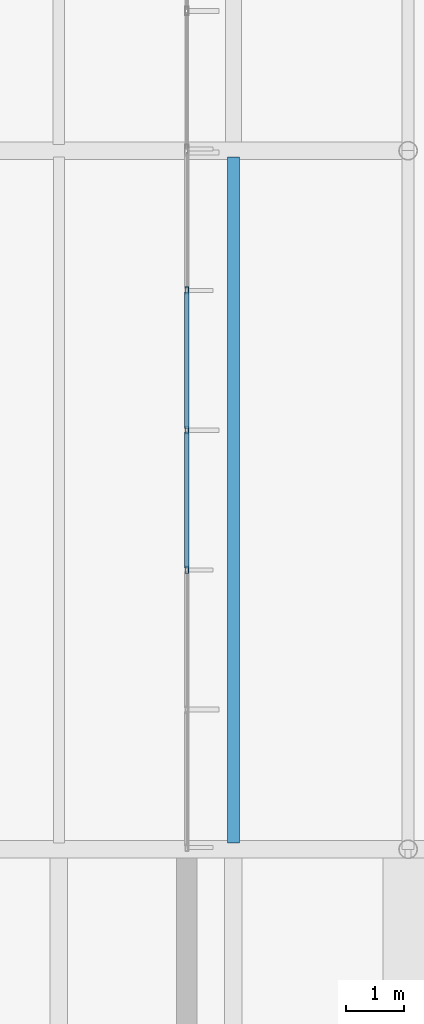
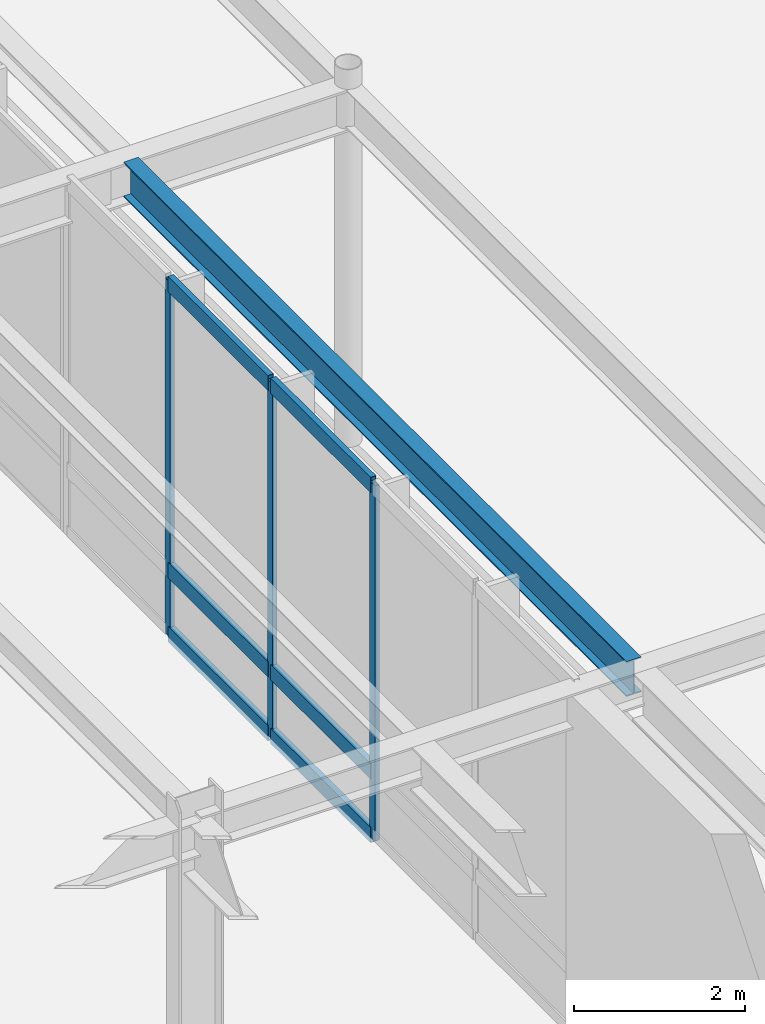
# One storey, part 42 of 143: 9 members, 1 beam, 1 element without a shape of its own.
"""IFC4 building model written with IfcOpenShell, lengths in metres."""

import ifcopenshell
import ifcopenshell.guid

model = None  # the IFC model being written
_history = None  # IfcOwnerHistory: only IFC2X3 demands one
_inside = {}  # id of a spatial element -> (the spatial element, [elements in it])
_under = {}  # id of a project, library or spatial element -> (it, [spatial elements below it])
_declared = {}  # id of a project -> (the project, [libraries it declares])
_typed = {}  # id of a type object -> (the type object, [elements of that type])
_made_of = {}  # id of a material, layer set ... -> (it, [elements and type objects made of it])


def new_model(schema):
    """Start an empty IFC model of exactly this schema.

    Asked for "IFC4X3", IfcOpenShell would pick the latest addendum, in which some entities
    have other attributes; the version numbers below select the first issue.
    IFC2X3 requires an IfcOwnerHistory on every rooted entity: one is made here for all.
    """
    global model, _history
    if schema == "IFC4X3":
        model = ifcopenshell.file(schema_version=(4, 3, 0, 0))
    else:
        model = ifcopenshell.file(schema=schema)
    _inside.clear()
    _under.clear()
    _declared.clear()
    _typed.clear()
    _made_of.clear()
    _history = None
    if model.schema == "IFC2X3":
        org = make("IfcOrganization", Name="unknown")
        user = make(
            "IfcPersonAndOrganization",
            ThePerson=make("IfcPerson", FamilyName="unknown"),
            TheOrganization=org,
        )
        app = make(
            "IfcApplication",
            ApplicationDeveloper=org,
            Version="unknown",
            ApplicationFullName="unknown",
            ApplicationIdentifier="unknown",
        )
        _history = make(
            "IfcOwnerHistory",
            OwningUser=user,
            OwningApplication=app,
            ChangeAction="ADDED",
            CreationDate=0,
        )
    return model


def make(cls, **values):
    """One entity of the class cls with the attributes given. An attribute that is None is left unset."""
    return model.create_entity(
        cls, **{name: value for name, value in values.items() if value is not None}
    )


def rooted(cls, **values):
    """An entity with a GlobalId (a new one), such as an element, a storey or a relation."""
    return make(cls, GlobalId=ifcopenshell.guid.new(), OwnerHistory=_history, **values)


def si_unit(unit_type, name, prefix=None):
    """IfcSIUnit, for example si_unit("LENGTHUNIT", "METRE", prefix="MILLI")."""
    return make("IfcSIUnit", UnitType=unit_type, Prefix=prefix, Name=name)


def assignment(units):
    """IfcUnitAssignment: the units of a project."""
    return None if units is None else make("IfcUnitAssignment", Units=units)


def point(xyz):
    """IfcCartesianPoint."""
    return None if xyz is None else make("IfcCartesianPoint", Coordinates=xyz)


def direction(xyz):
    """IfcDirection."""
    return None if xyz is None else make("IfcDirection", DirectionRatios=xyz)


def frame(location, z_axis=None, x_axis=None):
    """IfcAxis2Placement3D, a coordinate frame: its origin and axes. An axis left out is left unset."""
    return make(
        "IfcAxis2Placement3D",
        Location=point(location),
        Axis=direction(z_axis),
        RefDirection=direction(x_axis),
    )


def frame_2d(location, x_axis=None):
    """IfcAxis2Placement2D, a coordinate frame in the plane: its origin and x axis."""
    return make(
        "IfcAxis2Placement2D", Location=point(location), RefDirection=direction(x_axis)
    )


def origin():
    """The frame at (0, 0, 0) with its axes left unset."""
    return frame((0.0, 0.0, 0.0))


def origin_2d():
    """The frame at (0, 0) in the plane with its x axis left unset."""
    return frame_2d((0.0, 0.0))


def place(relative_to, where):
    """IfcLocalPlacement: puts the frame where relative to a parent placement (None: the world)."""
    return make(
        "IfcLocalPlacement", PlacementRelTo=relative_to, RelativePlacement=where
    )


def context(
    kind, dimensions, precision=None, world=None, true_north=None, identifier=None
):
    """IfcGeometricRepresentationContext, for example the 3D "Model" context."""
    return make(
        "IfcGeometricRepresentationContext",
        ContextIdentifier=identifier,
        ContextType=kind,
        CoordinateSpaceDimension=dimensions,
        Precision=precision,
        WorldCoordinateSystem=world,
        TrueNorth=true_north,
    )


def subcontext(parent, identifier, kind, view, scale=None):
    """IfcGeometricRepresentationSubContext, for example "Body" below "Model"."""
    return make(
        "IfcGeometricRepresentationSubContext",
        ContextIdentifier=identifier,
        ContextType=kind,
        ParentContext=parent,
        TargetScale=scale,
        TargetView=view,
    )


def project(units=None, contexts=None):
    """IfcProject with its units and contexts."""
    return rooted(
        "IfcProject",
        Name="project",
        RepresentationContexts=contexts,
        UnitsInContext=assignment(units),
    )


def spatial(cls, under=None, at=None, **own):
    """A site, building, storey or space (cls), placed at a placement, below another one or the project."""
    s = rooted(cls, ObjectPlacement=at, **own)
    if under is not None:
        _under.setdefault(under.id(), (under, []))[1].append(s)
    return s


def profile(cls, at=None, kind="AREA", **sizes):
    """A parametric profile (cls). Its sizes go by their IFC names, for example OverallWidth=200.0."""
    return make(cls, ProfileType=kind, Position=at, **sizes)


def hollow_rectangle(**sizes):
    """IfcRectangleHollowProfileDef."""
    return profile("IfcRectangleHollowProfileDef", **sizes)


def i_section(**sizes):
    """IfcIShapeProfileDef."""
    return profile("IfcIShapeProfileDef", **sizes)


def extrude(swept, where, along, depth):
    """IfcExtrudedAreaSolid: the profile swept, set in the frame where, extruded along a direction by depth."""
    return make(
        "IfcExtrudedAreaSolid",
        SweptArea=swept,
        Position=where,
        ExtrudedDirection=direction(along),
        Depth=depth,
    )


def shape(context_of_items, identifier, shape_type, items):
    """IfcShapeRepresentation: the items that make up one representation, for example the "Body"."""
    return make(
        "IfcShapeRepresentation",
        ContextOfItems=context_of_items,
        RepresentationIdentifier=identifier,
        RepresentationType=shape_type,
        Items=items,
    )


def material(Name=None, Category=None):
    """IfcMaterial."""
    return make("IfcMaterial", Name=Name, Category=Category)


def layer(
    of_material, thickness, ventilated=None, Name=None, Category=None, Priority=None
):
    """IfcMaterialLayer: one layer of a wall or slab, of a material (None: an air gap)."""
    return make(
        "IfcMaterialLayer",
        Material=of_material,
        LayerThickness=thickness,
        IsVentilated=ventilated,
        Name=Name,
        Category=Category,
        Priority=Priority,
    )


def layer_set(layers, Name=None):
    """IfcMaterialLayerSet."""
    return make("IfcMaterialLayerSet", MaterialLayers=layers, LayerSetName=Name)


def material_profile(
    of_material, cross_section, Name=None, Category=None, Priority=None
):
    """IfcMaterialProfile: a cross section and its material."""
    return make(
        "IfcMaterialProfile",
        Name=Name,
        Material=of_material,
        Profile=cross_section,
        Priority=Priority,
        Category=Category,
    )


def profile_set(profiles, Name=None, composite=None):
    """IfcMaterialProfileSet."""
    return make(
        "IfcMaterialProfileSet",
        Name=Name,
        MaterialProfiles=profiles,
        CompositeProfile=composite,
    )


def made_of(thing, what):
    """Note that an element or type object is made of a material, layer set ...; save() writes the relation."""
    if what is not None:
        _made_of.setdefault(what.id(), (what, []))[1].append(thing)
    return thing


def type_object(cls, material=None, **own):
    """A type object (cls), such as IfcWallType, which elements share."""
    return made_of(rooted(cls, **own), material)


def element(
    cls,
    number,
    at=None,
    inside=None,
    cuts=None,
    type_object=None,
    material=None,
    context=None,
    identifier="Body",
    shape_type=None,
    held_by="IfcProductDefinitionShape",
    body=None,
    shapes=None,
    **own,
):
    """One element of the class cls, such as IfcWall. Its Tag is "e" and its number.

    at: its placement. inside: the storey or other place that contains it. cuts: it is an
    opening in that element (IfcRelVoidsElement). A single representation is given by context,
    identifier, shape_type and body (its items); several are given by shapes. held_by: the class
    of the entity that holds the representations. save() writes the other relations.
    """
    e = rooted(cls, Tag="e%d" % number, ObjectPlacement=at, **own)
    if body is not None:
        shapes = [shape(context, identifier, shape_type, body)]
    if shapes is not None:
        e.Representation = make(held_by, Representations=shapes)
    if inside is not None:
        _inside.setdefault(inside.id(), (inside, []))[1].append(e)
    if cuts is not None:
        rooted(
            "IfcRelVoidsElement", RelatingBuildingElement=cuts, RelatedOpeningElement=e
        )
    if type_object is not None:
        _typed.setdefault(type_object.id(), (type_object, []))[1].append(e)
    return made_of(e, material)


def aggregate(whole, parts):
    """IfcRelAggregates: a whole, such as a stair, and the parts it consists of."""
    return rooted("IfcRelAggregates", RelatingObject=whole, RelatedObjects=parts)


def save(model, path):
    """Write the relations noted so far, then the file.

    IfcRelAggregates (storeys below a building ...), IfcRelContainedInSpatialStructure (elements
    in a storey), IfcRelDefinesByType, IfcRelAssociatesMaterial and IfcRelDeclares: one each for
    every whole, place, type object, material and project.
    """
    for whole, parts in _under.values():
        aggregate(whole, parts)
    for where, things in _inside.values():
        rooted(
            "IfcRelContainedInSpatialStructure",
            RelatedElements=things,
            RelatingStructure=where,
        )
    for kind, things in _typed.values():
        rooted("IfcRelDefinesByType", RelatedObjects=things, RelatingType=kind)
    for what, things in _made_of.values():
        rooted("IfcRelAssociatesMaterial", RelatedObjects=things, RelatingMaterial=what)
    for by, libraries in _declared.values():
        rooted("IfcRelDeclares", RelatingContext=by, RelatedDefinitions=libraries)
    model.write(path)


model = new_model("IFC4")

# Units and contexts
model_context = context("Model", 3, precision=1e-05, world=origin(), true_north=direction((0.0, 1.0)))
body_context = subcontext(model_context, "Body", "Model", "MODEL_VIEW")
ifc_project = project(units=[si_unit("LENGTHUNIT", "METRE"), si_unit("AREAUNIT", "SQUARE_METRE"), si_unit("VOLUMEUNIT", "CUBIC_METRE"), si_unit("PLANEANGLEUNIT", "RADIAN"), si_unit("MASSUNIT", "GRAM", prefix="KILO")], contexts=[model_context])

# Site, building, storey
site_placement = place(None, origin())
site = spatial("IfcSite", under=ifc_project, at=site_placement, CompositionType="ELEMENT")
building_placement = place(site_placement, origin())
building = spatial("IfcBuilding", under=site, at=building_placement, Name="Montelvaro Courts of Justice", CompositionType="ELEMENT")
storey_placement = place(building_placement, origin())
storey = spatial("IfcBuildingStorey", under=building, at=storey_placement, Name="L00", CompositionType="ELEMENT", Elevation=0.0)

# Beam
ifc_material_1 = material(Name="Steel S355", Category="steel")
ifc_material_profile_1 = material_profile(ifc_material_1, i_section(OverallWidth=0.199951171875, OverallDepth=0.5, WebThickness=0.01025390625, FlangeThickness=0.01611328125, at=origin_2d()), Name="IPE 500")
ifc_profile_set_1 = profile_set([ifc_material_profile_1], Name="Steel S355")
beam_type = type_object("IfcBeamType", Name="Beam_IPE500", PredefinedType="BEAM", material=ifc_profile_set_1)
beam_placement = place(storey_placement, frame((78.0, 42.110107421875, 4.8701171875), z_axis=(0.0, 1.0, 0.0), x_axis=(-1.0, 0.0, 0.0)))
element("IfcBeam", 1, at=beam_placement, inside=storey, type_object=beam_type, Name="Beam B-10 L00", PredefinedType="BEAM", context=body_context, shape_type="SweptSolid", body=[
    extrude(i_section(OverallWidth=0.199951171875, OverallDepth=0.5, WebThickness=0.01025390625, FlangeThickness=0.01611328125, at=origin_2d()), origin(), (0.0, 0.0, 1.0), 11.77978515625),
])

# Curtain wall, members
ifc_material_2 = material(Name="Anodised aluminium EN AW-6063", Category="aluminium")
ifc_layer = layer(ifc_material_2, 0.159912109375)
ifc_layer_set = layer_set([ifc_layer], Name="Anodised aluminium EN AW-6063")
curtain_wall_type = type_object("IfcCurtainWallType", Name="CurtainWall_06_1200x508", PredefinedType="USERDEFINED", material=ifc_layer_set)
curtain_wall_placement = place(storey_placement, origin())
curtain_wall = element("IfcCurtainWall", 2, at=curtain_wall_placement, inside=storey, type_object=curtain_wall_type, Name="Curtain Wall CW-06 (L00)", ObjectType="CURTAIN WALL", PredefinedType="USERDEFINED")
ifc_material_profile_2 = material_profile(ifc_material_2, hollow_rectangle(XDim=0.06005859375, YDim=0.1201171875, WallThickness=0.00341796875, at=origin_2d()), Name="ALU-M 60x120")
ifc_profile_set_2 = profile_set([ifc_material_profile_2], Name="Anodised aluminium EN AW-6063")
member_type_1 = type_object("IfcMemberType", Name="CurtainWall_Mullion_60x120", PredefinedType="MULLION", material=ifc_profile_set_2)
member_1_placement = place(storey_placement, frame((77.199951171875, 46.800048828125, 0.0), z_axis=(0.0, 0.0, 1.0), x_axis=(-1.0, 0.0, 0.0)))
member_1 = element("IfcMember", 3, at=member_1_placement, type_object=member_type_1, Name="CW-06 mullion 3", PredefinedType="MULLION", context=body_context, shape_type="SweptSolid", body=[
    extrude(hollow_rectangle(XDim=0.06005859375, YDim=0.1201171875, WallThickness=0.00341796875, at=origin_2d()), origin(), (0.0, 0.0, 1.0), 5.080078125),
])
member_2_placement = place(storey_placement, frame((77.199951171875, 49.199951171875, 0.0), z_axis=(0.0, 0.0, 1.0), x_axis=(-1.0, 0.0, 0.0)))
member_2 = element("IfcMember", 4, at=member_2_placement, type_object=member_type_1, Name="CW-06 mullion 4", PredefinedType="MULLION", context=body_context, shape_type="SweptSolid", body=[
    extrude(hollow_rectangle(XDim=0.06005859375, YDim=0.1201171875, WallThickness=0.00341796875, at=origin_2d()), origin(), (0.0, 0.0, 1.0), 5.080078125),
])
member_3_placement = place(storey_placement, frame((77.199951171875, 51.60009765625, 0.0), z_axis=(0.0, 0.0, 1.0), x_axis=(-1.0, 0.0, 0.0)))
member_3 = element("IfcMember", 5, at=member_3_placement, type_object=member_type_1, Name="CW-06 mullion 5", PredefinedType="MULLION", context=body_context, shape_type="SweptSolid", body=[
    extrude(hollow_rectangle(XDim=0.06005859375, YDim=0.1201171875, WallThickness=0.00341796875, at=origin_2d()), origin(), (0.0, 0.0, 1.0), 5.080078125),
])
ifc_material_profile_3 = material_profile(ifc_material_2, hollow_rectangle(XDim=0.074951171875, YDim=0.219970703125, WallThickness=0.005615234375, at=origin_2d()), Name="ALU-T 75x220")
ifc_profile_set_3 = profile_set([ifc_material_profile_3], Name="Anodised aluminium EN AW-6063")
member_type_2 = type_object("IfcMemberType", Name="CurtainWall_Transom_75x220", PredefinedType="USERDEFINED", material=ifc_profile_set_3)
member_4_placement = place(storey_placement, frame((77.199951171875, 46.830078125, 0.03759765625), z_axis=(0.0, 1.0, 0.0), x_axis=(-1.0, 0.0, 0.0)))
member_4 = element("IfcMember", 6, at=member_4_placement, type_object=member_type_2, Name="CW-06 transom 3.1", ObjectType="TRANSOM", PredefinedType="USERDEFINED", context=body_context, shape_type="SweptSolid", body=[
    extrude(hollow_rectangle(XDim=0.074951171875, YDim=0.219970703125, WallThickness=0.005615234375, at=origin_2d()), origin(), (0.0, 0.0, 1.0), 2.33984375),
])
member_5_placement = place(storey_placement, frame((77.199951171875, 46.830078125, 0.949951171875), z_axis=(0.0, 1.0, 0.0), x_axis=(-1.0, 0.0, 0.0)))
member_5 = element("IfcMember", 7, at=member_5_placement, type_object=member_type_2, Name="CW-06 transom 3.2", ObjectType="TRANSOM", PredefinedType="USERDEFINED", context=body_context, shape_type="SweptSolid", body=[
    extrude(hollow_rectangle(XDim=0.074951171875, YDim=0.219970703125, WallThickness=0.005615234375, at=origin_2d()), origin(), (0.0, 0.0, 1.0), 2.33984375),
])
member_6_placement = place(storey_placement, frame((77.199951171875, 46.830078125, 5.04248046875), z_axis=(0.0, 1.0, 0.0), x_axis=(-1.0, 0.0, 0.0)))
member_6 = element("IfcMember", 8, at=member_6_placement, type_object=member_type_2, Name="CW-06 transom 3.3", ObjectType="TRANSOM", PredefinedType="USERDEFINED", context=body_context, shape_type="SweptSolid", body=[
    extrude(hollow_rectangle(XDim=0.074951171875, YDim=0.219970703125, WallThickness=0.005615234375, at=origin_2d()), origin(), (0.0, 0.0, 1.0), 2.33984375),
])
member_7_placement = place(storey_placement, frame((77.199951171875, 49.22998046875, 0.03759765625), z_axis=(0.0, 1.0, 0.0), x_axis=(-1.0, 0.0, 0.0)))
member_7 = element("IfcMember", 9, at=member_7_placement, type_object=member_type_2, Name="CW-06 transom 4.1", ObjectType="TRANSOM", PredefinedType="USERDEFINED", context=body_context, shape_type="SweptSolid", body=[
    extrude(hollow_rectangle(XDim=0.074951171875, YDim=0.219970703125, WallThickness=0.005615234375, at=origin_2d()), origin(), (0.0, 0.0, 1.0), 2.340087890625),
])
member_8_placement = place(storey_placement, frame((77.199951171875, 49.22998046875, 0.949951171875), z_axis=(0.0, 1.0, 0.0), x_axis=(-1.0, 0.0, 0.0)))
member_8 = element("IfcMember", 10, at=member_8_placement, type_object=member_type_2, Name="CW-06 transom 4.2", ObjectType="TRANSOM", PredefinedType="USERDEFINED", context=body_context, shape_type="SweptSolid", body=[
    extrude(hollow_rectangle(XDim=0.074951171875, YDim=0.219970703125, WallThickness=0.005615234375, at=origin_2d()), origin(), (0.0, 0.0, 1.0), 2.340087890625),
])
member_9_placement = place(storey_placement, frame((77.199951171875, 49.22998046875, 5.04248046875), z_axis=(0.0, 1.0, 0.0), x_axis=(-1.0, 0.0, 0.0)))
member_9 = element("IfcMember", 11, at=member_9_placement, type_object=member_type_2, Name="CW-06 transom 4.3", ObjectType="TRANSOM", PredefinedType="USERDEFINED", context=body_context, shape_type="SweptSolid", body=[
    extrude(hollow_rectangle(XDim=0.074951171875, YDim=0.219970703125, WallThickness=0.005615234375, at=origin_2d()), origin(), (0.0, 0.0, 1.0), 2.340087890625),
])
aggregate(curtain_wall, [member_1, member_2, member_3, member_4, member_5, member_6, member_7, member_8, member_9])

save(model, "model.ifc")
